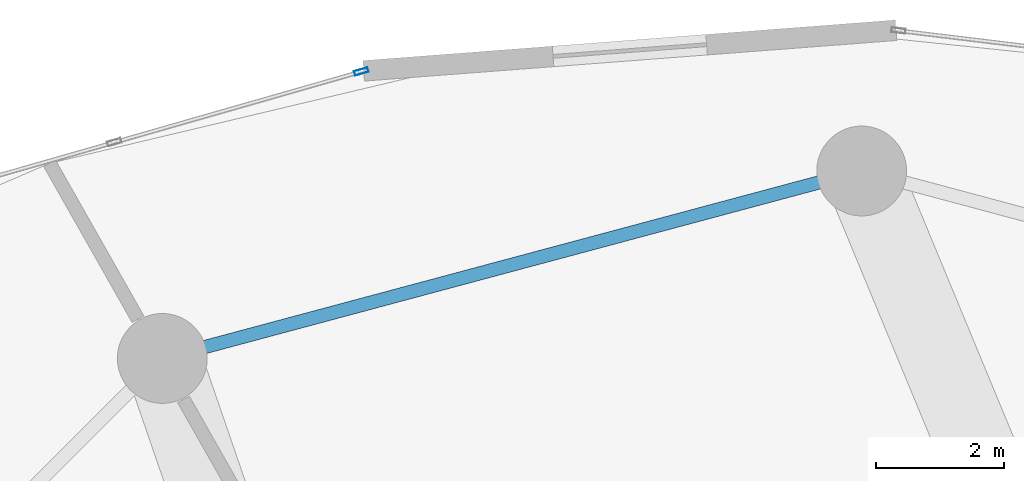
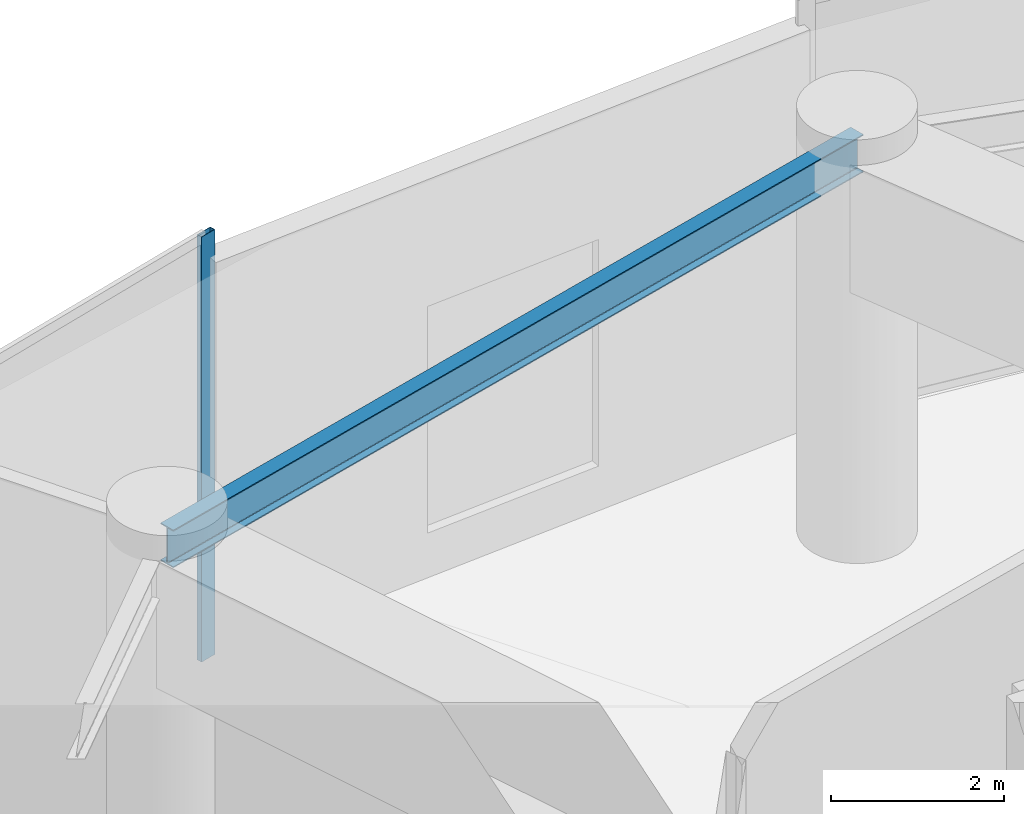
# One storey, part 16 of 28: 1 beam, 1 member, 1 element without a shape of its own.
"""IFC4 building model written with IfcOpenShell, lengths in metres."""

from ifc_helpers import new_model, si_unit, direction, frame, origin, origin_2d, place, context, subcontext, project, spatial, hollow_rectangle, i_section, extrude, source, transform, mapped, material, layer, layer_set, material_profile, profile_set, type_object, element, aggregate, save


model = new_model("IFC4")

# Units and contexts
model_context = context("Model", 3, precision=1e-05, world=origin(), true_north=direction((0.0, 1.0)))
body_context = subcontext(model_context, "Body", "Model", "MODEL_VIEW")
ifc_project = project(units=[si_unit("LENGTHUNIT", "METRE"), si_unit("AREAUNIT", "SQUARE_METRE"), si_unit("VOLUMEUNIT", "CUBIC_METRE"), si_unit("PLANEANGLEUNIT", "RADIAN"), si_unit("MASSUNIT", "GRAM", prefix="KILO")], contexts=[model_context])

# Site, building, storey
site_placement = place(None, origin())
site = spatial("IfcSite", under=ifc_project, at=site_placement, CompositionType="ELEMENT")
building_placement = place(site_placement, origin())
building = spatial("IfcBuilding", under=site, at=building_placement, Name="Solvirekh Grand Hotel", CompositionType="ELEMENT")
storey_placement = place(building_placement, frame((0.0, 0.0, 12.60009765625)))
storey = spatial("IfcBuildingStorey", under=building, at=storey_placement, Name="L02", CompositionType="ELEMENT", Elevation=12.60009765625)

# Beam
ifc_material_1 = material(Name="Steel S355", Category="steel")
ifc_material_profile_1 = material_profile(ifc_material_1, i_section(OverallWidth=0.208984375, OverallDepth=0.532958984375, WebThickness=0.010009765625, FlangeThickness=0.014892578125, FilletRadius=0.013916015625, at=origin_2d()), Name="W530X92")
ifc_profile_set_1 = profile_set([ifc_material_profile_1], Name="Steel S355")
beam_type = type_object("IfcBeamType", Name="Spandrel_Ring_W530", PredefinedType="SPANDREL", material=ifc_profile_set_1)
beam_placement = place(storey_placement, frame((0.0, 21.800048828125, 5.372802734375), z_axis=(-0.965914248703, -0.258862249378, 0.0), x_axis=(0.258862249378, -0.965914248703, 0.0)))
element("IfcBeam", 1, at=beam_placement, inside=storey, type_object=beam_type, Name="L02 perimeter spandrel beam 4", PredefinedType="SPANDREL", context=body_context, shape_type="SweptSolid", body=[
    extrude(i_section(OverallWidth=0.208984375, OverallDepth=0.532958984375, WebThickness=0.010009765625, FlangeThickness=0.014892578125, FilletRadius=0.013916015625, at=origin_2d()), origin(), (0.0, 0.0, 1.0), 11.284423828125),
])

# Curtain wall, member
ifc_material_2 = material(Name="Anodized Bronze Aluminium 6063-T6", Category="aluminium")
ifc_layer = layer(ifc_material_2, 0.219970703125)
ifc_layer_set = layer_set([ifc_layer], Name="Anodized Bronze Aluminium 6063-T6")
curtain_wall_type = type_object("IfcCurtainWallType", Name="CW_Sys1_PodiumBronzeUnitised", PredefinedType="NOTDEFINED", material=ifc_layer_set)
curtain_wall_placement = place(storey_placement, origin())
curtain_wall = element("IfcCurtainWall", 2, at=curtain_wall_placement, inside=storey, type_object=curtain_wall_type, Name="L02 unitised bronze-glass curtain wall CW-L02-C08", PredefinedType="NOTDEFINED")
ifc_material_profile_2 = material_profile(ifc_material_2, hollow_rectangle(XDim=0.074951171875, YDim=0.219970703125, WallThickness=0.006103515625, at=origin_2d()), Name="ALU RHS 220X75X6")
ifc_profile_set_2 = profile_set([ifc_material_profile_2], Name="Anodized Bronze Aluminium 6063-T6")
member_type = type_object("IfcMemberType", Name="CWMullion_Sys1", PredefinedType="MULLION", material=ifc_profile_set_2)
shared_shape = source(origin(), body_context, "Body", "SweptSolid", [
    extrude(hollow_rectangle(XDim=0.074951171875, YDim=0.219970703125, WallThickness=0.006103515625, at=origin_2d()), origin(), (0.0, 0.0, 1.0), 6.0),
])
member_placement = place(storey_placement, frame((-7.798095703125, 23.3505859375, 0.0), z_axis=(0.0, 0.0, 1.0), x_axis=(0.275178669567, -0.961393103686, 0.0)))
member = element("IfcMember", 3, at=member_placement, type_object=member_type, Name="U01 mullion 1", PredefinedType="MULLION", context=body_context, shape_type="MappedRepresentation", body=[
    mapped(shared_shape, transform((0.0, 0.0, 0.0), x_axis=(1.0, 0.0, 0.0), y_axis=(0.0, 1.0, 0.0), z_axis=(0.0, 0.0, 1.0), scale=1.0)),
])
aggregate(curtain_wall, [member])

save(model, "model.ifc")
